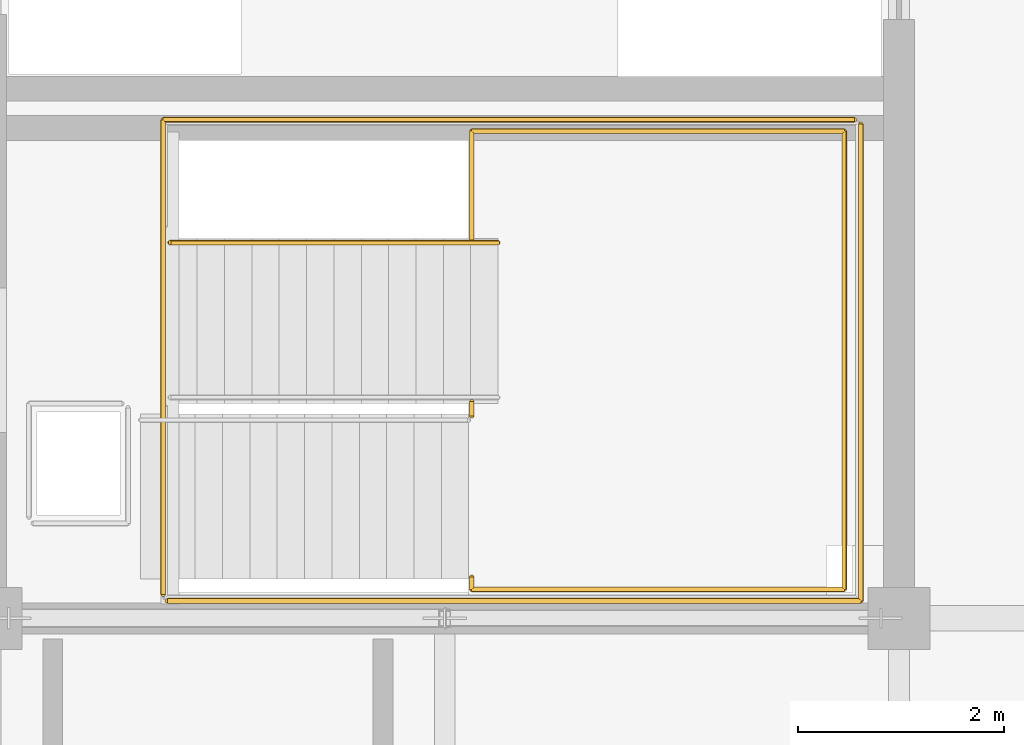
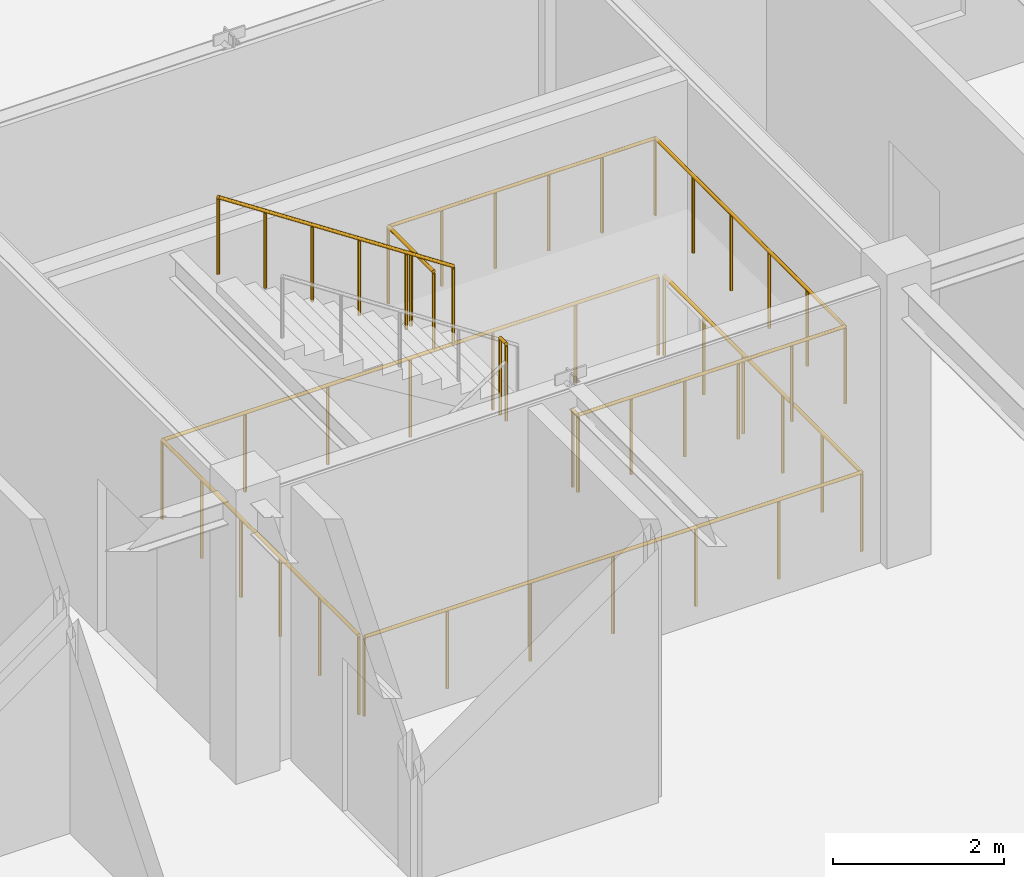
# One storey, part 21 of 22: 5 railings.
"""IFC4 building model written with IfcOpenShell, lengths in metres."""

from ifc_helpers import new_model, si_unit, direction, frame, origin, origin_2d, place, context, subcontext, project, spatial, circle, extrude, material, type_object, element, save


model = new_model("IFC4")

# Units and contexts
model_context = context("Model", 3, precision=1e-05, world=origin(), true_north=direction((0.0, 1.0)))
body_context = subcontext(model_context, "Body", "Model", "MODEL_VIEW")
ifc_project = project(units=[si_unit("LENGTHUNIT", "METRE"), si_unit("AREAUNIT", "SQUARE_METRE"), si_unit("VOLUMEUNIT", "CUBIC_METRE"), si_unit("PLANEANGLEUNIT", "RADIAN"), si_unit("MASSUNIT", "GRAM", prefix="KILO")], contexts=[model_context])

# Site, building, storey
site_placement = place(None, origin())
site = spatial("IfcSite", under=ifc_project, at=site_placement, CompositionType="ELEMENT")
building_placement = place(site_placement, origin())
building = spatial("IfcBuilding", under=site, at=building_placement, Name="Zhaolan Boulevard Law Courts", CompositionType="ELEMENT")
storey_placement = place(building_placement, frame((0.0, 0.0, 28.800048828125)))
storey = spatial("IfcBuildingStorey", under=building, at=storey_placement, Name="L06", CompositionType="ELEMENT", Elevation=28.800048828125)

# Railings
ifc_material_1 = material(Name="Powder-coated steel and tempered laminated glass", Category="steel")
railing_type_1 = type_object("IfcRailingType", Name="INTERIOR GUARDRAIL 1150", PredefinedType="GUARDRAIL", material=ifc_material_1)
railing_1_placement = place(storey_placement, frame((19.31005859375, 62.169921875, 0.0)))
element("IfcRailing", 1, at=railing_1_placement, inside=storey, type_object=railing_type_1, Name="Atrium Gallery Guardrail VG-6-V5-7A", PredefinedType="GUARDRAIL", context=body_context, shape_type="SweptSolid", body=[
    extrude(circle(Radius=0.02490234375, at=origin_2d()), frame((0.0, 0.0, 1.125), z_axis=(1.0, 0.0, 0.0), x_axis=(0.0, 1.0, 0.0)), (0.0, 0.0, 1.0), 6.719970703125),
    extrude(circle(Radius=0.02490234375, at=origin_2d()), frame((6.719970703125, 0.0, 1.125), z_axis=(0.0, 1.0, 0.0), x_axis=(-1.0, 0.0, 0.0)), (0.0, 0.0, 1.0), 4.6201171875),
    extrude(circle(Radius=0.02099609375, at=origin_2d()), origin(), (0.0, 0.0, 1.0), 1.099853515625),
    extrude(circle(Radius=0.02099609375, at=origin_2d()), frame((1.1201171875, 0.0, 0.0)), (0.0, 0.0, 1.0), 1.099853515625),
    extrude(circle(Radius=0.02099609375, at=origin_2d()), frame((2.239990234375, 0.0, 0.0)), (0.0, 0.0, 1.0), 1.099853515625),
    extrude(circle(Radius=0.02099609375, at=origin_2d()), frame((3.35986328125, 0.0, 0.0)), (0.0, 0.0, 1.0), 1.099853515625),
    extrude(circle(Radius=0.02099609375, at=origin_2d()), frame((4.47998046875, 0.0, 0.0)), (0.0, 0.0, 1.0), 1.099853515625),
    extrude(circle(Radius=0.02099609375, at=origin_2d()), frame((5.60009765625, 0.0, 0.0)), (0.0, 0.0, 1.0), 1.099853515625),
    extrude(circle(Radius=0.02099609375, at=origin_2d()), frame((6.719970703125, 0.0, 0.0)), (0.0, 0.0, 1.0), 1.099853515625),
    extrude(circle(Radius=0.02099609375, at=origin_2d()), frame((6.719970703125, 0.924072265625, 0.0)), (0.0, 0.0, 1.0), 1.099853515625),
    extrude(circle(Radius=0.02099609375, at=origin_2d()), frame((6.719970703125, 1.84814453125, 0.0)), (0.0, 0.0, 1.0), 1.099853515625),
    extrude(circle(Radius=0.02099609375, at=origin_2d()), frame((6.719970703125, 2.77197265625, 0.0)), (0.0, 0.0, 1.0), 1.099853515625),
    extrude(circle(Radius=0.02099609375, at=origin_2d()), frame((6.719970703125, 3.696044921875, 0.0)), (0.0, 0.0, 1.0), 1.099853515625),
    extrude(circle(Radius=0.02099609375, at=origin_2d()), frame((6.719970703125, 4.6201171875, 0.0)), (0.0, 0.0, 1.0), 1.099853515625),
])
railing_2_placement = place(storey_placement, frame((25.969970703125, 66.830078125, 0.0)))
element("IfcRailing", 2, at=railing_2_placement, inside=storey, type_object=railing_type_1, Name="Atrium Gallery Guardrail VG-6-V5-7B", PredefinedType="GUARDRAIL", context=body_context, shape_type="SweptSolid", body=[
    extrude(circle(Radius=0.02490234375, at=origin_2d()), frame((0.0, 0.0, 1.125), z_axis=(-1.0, 0.0, 0.0), x_axis=(0.0, -1.0, 0.0)), (0.0, 0.0, 1.0), 6.699951171875),
    extrude(circle(Radius=0.02490234375, at=origin_2d()), frame((-6.699951171875, 0.0, 1.125), z_axis=(0.0, -1.0, 0.0), x_axis=(1.0, 0.0, 0.0)), (0.0, 0.0, 1.0), 4.60009765625),
    extrude(circle(Radius=0.02099609375, at=origin_2d()), origin(), (0.0, 0.0, 1.0), 1.099853515625),
    extrude(circle(Radius=0.02099609375, at=origin_2d()), frame((-1.11669921875, 0.0, 0.0)), (0.0, 0.0, 1.0), 1.099853515625),
    extrude(circle(Radius=0.02099609375, at=origin_2d()), frame((-2.2333984375, 0.0, 0.0)), (0.0, 0.0, 1.0), 1.099853515625),
    extrude(circle(Radius=0.02099609375, at=origin_2d()), frame((-3.35009765625, 0.0, 0.0)), (0.0, 0.0, 1.0), 1.099853515625),
    extrude(circle(Radius=0.02099609375, at=origin_2d()), frame((-4.466552734375, 0.0, 0.0)), (0.0, 0.0, 1.0), 1.099853515625),
    extrude(circle(Radius=0.02099609375, at=origin_2d()), frame((-5.583251953125, 0.0, 0.0)), (0.0, 0.0, 1.0), 1.099853515625),
    extrude(circle(Radius=0.02099609375, at=origin_2d()), frame((-6.699951171875, 0.0, 0.0)), (0.0, 0.0, 1.0), 1.099853515625),
    extrude(circle(Radius=0.02099609375, at=origin_2d()), frame((-6.699951171875, -0.919921875, 0.0)), (0.0, 0.0, 1.0), 1.099853515625),
    extrude(circle(Radius=0.02099609375, at=origin_2d()), frame((-6.699951171875, -1.840087890625, 0.0)), (0.0, 0.0, 1.0), 1.099853515625),
    extrude(circle(Radius=0.02099609375, at=origin_2d()), frame((-6.699951171875, -2.760009765625, 0.0)), (0.0, 0.0, 1.0), 1.099853515625),
    extrude(circle(Radius=0.02099609375, at=origin_2d()), frame((-6.699951171875, -3.68017578125, 0.0)), (0.0, 0.0, 1.0), 1.099853515625),
    extrude(circle(Radius=0.02099609375, at=origin_2d()), frame((-6.699951171875, -4.60009765625, 0.0)), (0.0, 0.0, 1.0), 1.099853515625),
])
ifc_material_2 = material(Name="Powder-coated steel baluster guardrail", Category="steel")
railing_type_2 = type_object("IfcRailingType", Name="STAIR WELL GUARDRAIL 1120", PredefinedType="GUARDRAIL", material=ifc_material_2)
railing_3_placement = place(storey_placement, frame((22.260009765625, 62.39990234375, 2.099853515625)))
element("IfcRailing", 3, at=railing_3_placement, inside=storey, type_object=railing_type_2, Name="Half-Landing Guardrail SG-ST02-L06-M", PredefinedType="GUARDRAIL", context=body_context, shape_type="SweptSolid", body=[
    extrude(circle(Radius=0.02392578125, at=origin_2d()), frame((0.0, 0.0, 1.09619140625), z_axis=(0.0, -1.0, 0.0), x_axis=(1.0, 0.0, 0.0)), (0.0, 0.0, 1.0), 0.119873046875),
    extrude(circle(Radius=0.02392578125, at=origin_2d()), frame((0.0, -0.119873046875, 1.09619140625), z_axis=(1.0, 0.0, 0.0), x_axis=(0.0, 1.0, 0.0)), (0.0, 0.0, 1.0), 3.610107421875),
    extrude(circle(Radius=0.02392578125, at=origin_2d()), frame((3.610107421875, -0.119873046875, 1.09619140625), z_axis=(0.0, 1.0, 0.0), x_axis=(-1.0, 0.0, 0.0)), (0.0, 0.0, 1.0), 4.43994140625),
    extrude(circle(Radius=0.02392578125, at=origin_2d()), frame((3.610107421875, 4.320068359375, 1.09619140625), z_axis=(-1.0, 0.0, 0.0), x_axis=(0.0, -1.0, 0.0)), (0.0, 0.0, 1.0), 3.610107421875),
    extrude(circle(Radius=0.02392578125, at=origin_2d()), frame((0.0, 4.320068359375, 1.09619140625), z_axis=(0.0, -1.0, 0.0), x_axis=(1.0, 0.0, 0.0)), (0.0, 0.0, 1.0), 1.06005859375),
    extrude(circle(Radius=0.02099609375, at=origin_2d()), origin(), (0.0, 0.0, 1.0), 1.072021484375),
    extrude(circle(Radius=0.02099609375, at=origin_2d()), frame((0.0, -0.119873046875, 0.0)), (0.0, 0.0, 1.0), 1.072021484375),
    extrude(circle(Radius=0.02099609375, at=origin_2d()), frame((0.721923828125, -0.119873046875, 0.0)), (0.0, 0.0, 1.0), 1.072021484375),
    extrude(circle(Radius=0.02099609375, at=origin_2d()), frame((1.444091796875, -0.119873046875, 0.0)), (0.0, 0.0, 1.0), 1.072021484375),
    extrude(circle(Radius=0.02099609375, at=origin_2d()), frame((2.166015625, -0.119873046875, 0.0)), (0.0, 0.0, 1.0), 1.072021484375),
    extrude(circle(Radius=0.02099609375, at=origin_2d()), frame((2.88818359375, -0.119873046875, 0.0)), (0.0, 0.0, 1.0), 1.072021484375),
    extrude(circle(Radius=0.02099609375, at=origin_2d()), frame((3.610107421875, -0.119873046875, 0.0)), (0.0, 0.0, 1.0), 1.072021484375),
    extrude(circle(Radius=0.02099609375, at=origin_2d()), frame((3.610107421875, 0.76806640625, 0.0)), (0.0, 0.0, 1.0), 1.072021484375),
    extrude(circle(Radius=0.02099609375, at=origin_2d()), frame((3.610107421875, 1.656005859375, 0.0)), (0.0, 0.0, 1.0), 1.072021484375),
    extrude(circle(Radius=0.02099609375, at=origin_2d()), frame((3.610107421875, 2.544189453125, 0.0)), (0.0, 0.0, 1.0), 1.072021484375),
    extrude(circle(Radius=0.02099609375, at=origin_2d()), frame((3.610107421875, 3.43212890625, 0.0)), (0.0, 0.0, 1.0), 1.072021484375),
    extrude(circle(Radius=0.02099609375, at=origin_2d()), frame((3.610107421875, 4.320068359375, 0.0)), (0.0, 0.0, 1.0), 1.072021484375),
    extrude(circle(Radius=0.02099609375, at=origin_2d()), frame((2.88818359375, 4.320068359375, 0.0)), (0.0, 0.0, 1.0), 1.072021484375),
    extrude(circle(Radius=0.02099609375, at=origin_2d()), frame((2.166015625, 4.320068359375, 0.0)), (0.0, 0.0, 1.0), 1.072021484375),
    extrude(circle(Radius=0.02099609375, at=origin_2d()), frame((1.444091796875, 4.320068359375, 0.0)), (0.0, 0.0, 1.0), 1.072021484375),
    extrude(circle(Radius=0.02099609375, at=origin_2d()), frame((0.721923828125, 4.320068359375, 0.0)), (0.0, 0.0, 1.0), 1.072021484375),
    extrude(circle(Radius=0.02099609375, at=origin_2d()), frame((0.0, 4.320068359375, 0.0)), (0.0, 0.0, 1.0), 1.072021484375),
    extrude(circle(Radius=0.02099609375, at=origin_2d()), frame((0.0, 3.7900390625, 0.0)), (0.0, 0.0, 1.0), 1.072021484375),
    extrude(circle(Radius=0.02099609375, at=origin_2d()), frame((0.0, 3.260009765625, 0.0)), (0.0, 0.0, 1.0), 1.072021484375),
])
railing_4_placement = place(storey_placement, frame((22.260009765625, 63.9599609375, 2.099853515625)))
element("IfcRailing", 4, at=railing_4_placement, inside=storey, type_object=railing_type_2, Name="Half-Landing Well Guardrail SG-ST02-L06-W", PredefinedType="GUARDRAIL", context=body_context, shape_type="SweptSolid", body=[
    extrude(circle(Radius=0.02392578125, at=origin_2d()), frame((0.0, 0.0, 1.09619140625), z_axis=(0.0, 1.0, 0.0), x_axis=(-1.0, 0.0, 0.0)), (0.0, 0.0, 1.0), 0.14013671875),
    extrude(circle(Radius=0.02099609375, at=origin_2d()), origin(), (0.0, 0.0, 1.0), 1.072021484375),
    extrude(circle(Radius=0.02099609375, at=origin_2d()), frame((0.0, 0.14013671875, 0.0)), (0.0, 0.0, 1.0), 1.072021484375),
])
railing_5_placement = place(storey_placement, frame((22.514892578125, 65.639892578125, 2.099853515625)))
element("IfcRailing", 5, at=railing_5_placement, inside=storey, type_object=railing_type_2, Name="Flight Guardrail SG-ST02-L06-F2", PredefinedType="GUARDRAIL", context=body_context, shape_type="SweptSolid", body=[
    extrude(circle(Radius=0.02392578125, at=origin_2d()), frame((0.0, 0.0, 1.09619140625), z_axis=(-0.834447378162, 0.0, 0.551087627405), x_axis=(0.0, -1.0, 0.0)), (0.0, 0.0, 1.0), 3.810791015625),
    extrude(circle(Radius=0.02099609375, at=origin_2d()), origin(), (0.0, 0.0, 1.0), 1.072021484375),
    extrude(circle(Radius=0.02099609375, at=origin_2d()), frame((-0.635986328125, 0.0, 0.419921875)), (0.0, 0.0, 1.0), 1.072021484375),
    extrude(circle(Radius=0.02099609375, at=origin_2d()), frame((-1.27197265625, 0.0, 0.840087890625)), (0.0, 0.0, 1.0), 1.072021484375),
    extrude(circle(Radius=0.02099609375, at=origin_2d()), frame((-1.907958984375, 0.0, 1.260009765625)), (0.0, 0.0, 1.0), 1.072021484375),
    extrude(circle(Radius=0.02099609375, at=origin_2d()), frame((-2.5439453125, 0.0, 1.68017578125)), (0.0, 0.0, 1.0), 1.072021484375),
    extrude(circle(Radius=0.02099609375, at=origin_2d()), frame((-3.179931640625, 0.0, 2.10009765625)), (0.0, 0.0, 1.0), 1.072021484375),
])

save(model, "model.ifc")
